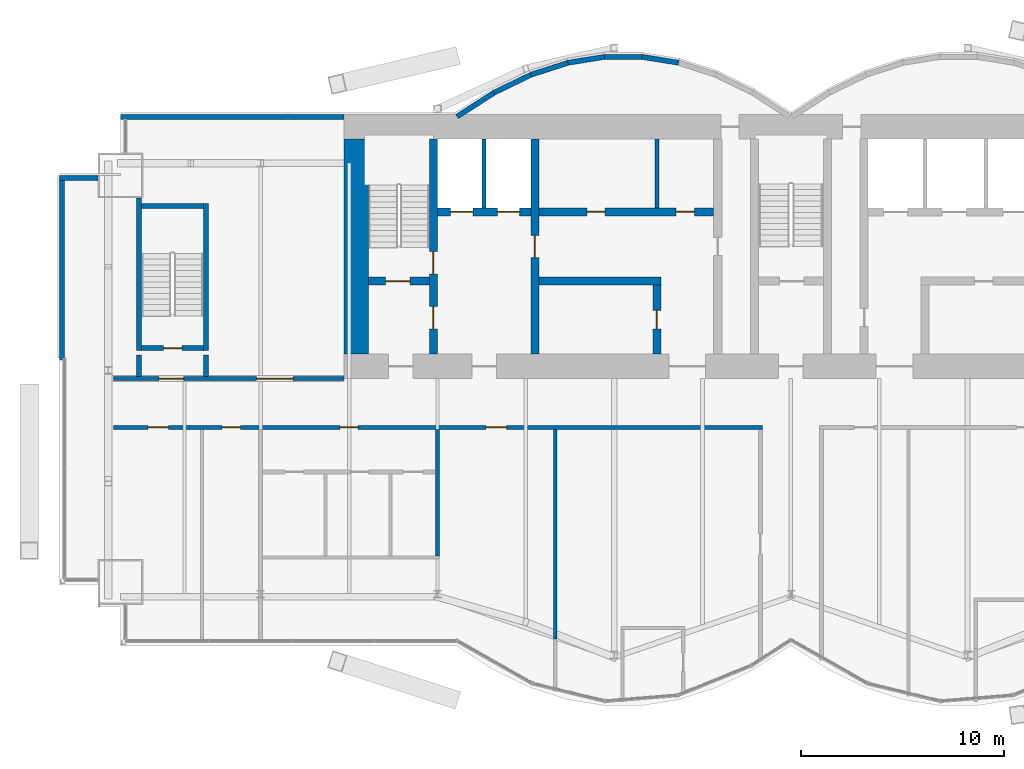
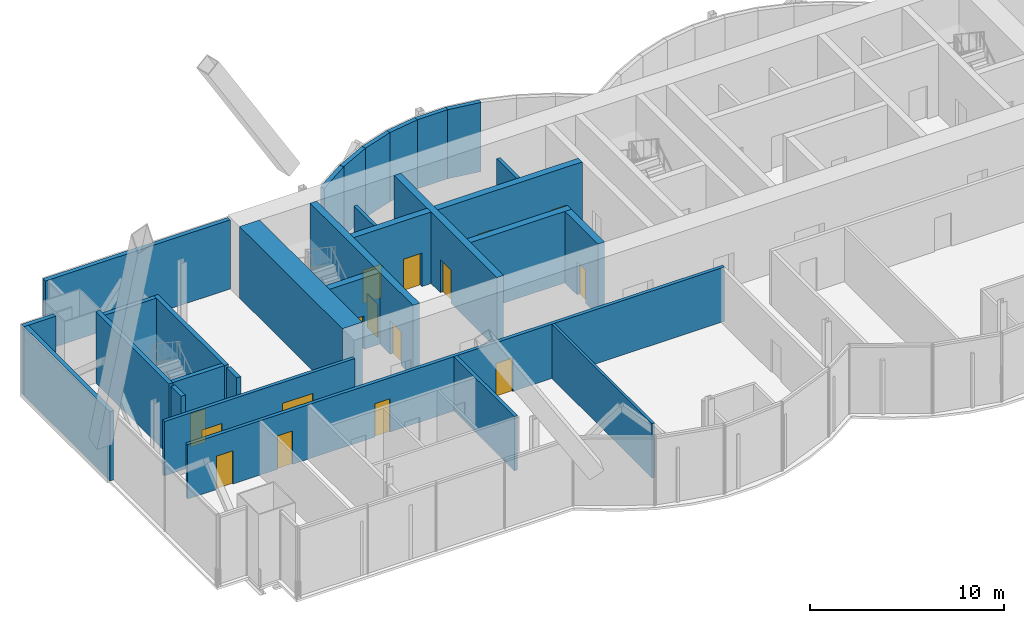
# One storey, part 16 of 22: 28 walls, 16 doors, 16 openings.
"""IFC4 building model written with IfcOpenShell, lengths in metres."""

import ifcopenshell
import ifcopenshell.guid

model = None  # the IFC model being written
_history = None  # IfcOwnerHistory: only IFC2X3 demands one
_inside = {}  # id of a spatial element -> (the spatial element, [elements in it])
_under = {}  # id of a project, library or spatial element -> (it, [spatial elements below it])
_declared = {}  # id of a project -> (the project, [libraries it declares])
_typed = {}  # id of a type object -> (the type object, [elements of that type])
_made_of = {}  # id of a material, layer set ... -> (it, [elements and type objects made of it])


def new_model(schema):
    """Start an empty IFC model of exactly this schema.

    Asked for "IFC4X3", IfcOpenShell would pick the latest addendum, in which some entities
    have other attributes; the version numbers below select the first issue.
    IFC2X3 requires an IfcOwnerHistory on every rooted entity: one is made here for all.
    """
    global model, _history
    if schema == "IFC4X3":
        model = ifcopenshell.file(schema_version=(4, 3, 0, 0))
    else:
        model = ifcopenshell.file(schema=schema)
    _inside.clear()
    _under.clear()
    _declared.clear()
    _typed.clear()
    _made_of.clear()
    _history = None
    if model.schema == "IFC2X3":
        org = make("IfcOrganization", Name="unknown")
        user = make(
            "IfcPersonAndOrganization",
            ThePerson=make("IfcPerson", FamilyName="unknown"),
            TheOrganization=org,
        )
        app = make(
            "IfcApplication",
            ApplicationDeveloper=org,
            Version="unknown",
            ApplicationFullName="unknown",
            ApplicationIdentifier="unknown",
        )
        _history = make(
            "IfcOwnerHistory",
            OwningUser=user,
            OwningApplication=app,
            ChangeAction="ADDED",
            CreationDate=0,
        )
    return model


def make(cls, **values):
    """One entity of the class cls with the attributes given. An attribute that is None is left unset."""
    return model.create_entity(
        cls, **{name: value for name, value in values.items() if value is not None}
    )


def rooted(cls, **values):
    """An entity with a GlobalId (a new one), such as an element, a storey or a relation."""
    return make(cls, GlobalId=ifcopenshell.guid.new(), OwnerHistory=_history, **values)


def si_unit(unit_type, name, prefix=None):
    """IfcSIUnit, for example si_unit("LENGTHUNIT", "METRE", prefix="MILLI")."""
    return make("IfcSIUnit", UnitType=unit_type, Prefix=prefix, Name=name)


def assignment(units):
    """IfcUnitAssignment: the units of a project."""
    return None if units is None else make("IfcUnitAssignment", Units=units)


def point(xyz):
    """IfcCartesianPoint."""
    return None if xyz is None else make("IfcCartesianPoint", Coordinates=xyz)


def direction(xyz):
    """IfcDirection."""
    return None if xyz is None else make("IfcDirection", DirectionRatios=xyz)


def frame(location, z_axis=None, x_axis=None):
    """IfcAxis2Placement3D, a coordinate frame: its origin and axes. An axis left out is left unset."""
    return make(
        "IfcAxis2Placement3D",
        Location=point(location),
        Axis=direction(z_axis),
        RefDirection=direction(x_axis),
    )


def frame_2d(location, x_axis=None):
    """IfcAxis2Placement2D, a coordinate frame in the plane: its origin and x axis."""
    return make(
        "IfcAxis2Placement2D", Location=point(location), RefDirection=direction(x_axis)
    )


def origin():
    """The frame at (0, 0, 0) with its axes left unset."""
    return frame((0.0, 0.0, 0.0))


def place(relative_to, where):
    """IfcLocalPlacement: puts the frame where relative to a parent placement (None: the world)."""
    return make(
        "IfcLocalPlacement", PlacementRelTo=relative_to, RelativePlacement=where
    )


def context(
    kind, dimensions, precision=None, world=None, true_north=None, identifier=None
):
    """IfcGeometricRepresentationContext, for example the 3D "Model" context."""
    return make(
        "IfcGeometricRepresentationContext",
        ContextIdentifier=identifier,
        ContextType=kind,
        CoordinateSpaceDimension=dimensions,
        Precision=precision,
        WorldCoordinateSystem=world,
        TrueNorth=true_north,
    )


def subcontext(parent, identifier, kind, view, scale=None):
    """IfcGeometricRepresentationSubContext, for example "Body" below "Model"."""
    return make(
        "IfcGeometricRepresentationSubContext",
        ContextIdentifier=identifier,
        ContextType=kind,
        ParentContext=parent,
        TargetScale=scale,
        TargetView=view,
    )


def project(units=None, contexts=None):
    """IfcProject with its units and contexts."""
    return rooted(
        "IfcProject",
        Name="project",
        RepresentationContexts=contexts,
        UnitsInContext=assignment(units),
    )


def spatial(cls, under=None, at=None, **own):
    """A site, building, storey or space (cls), placed at a placement, below another one or the project."""
    s = rooted(cls, ObjectPlacement=at, **own)
    if under is not None:
        _under.setdefault(under.id(), (under, []))[1].append(s)
    return s


def profile(cls, at=None, kind="AREA", **sizes):
    """A parametric profile (cls). Its sizes go by their IFC names, for example OverallWidth=200.0."""
    return make(cls, ProfileType=kind, Position=at, **sizes)


def rectangle(**sizes):
    """IfcRectangleProfileDef."""
    return profile("IfcRectangleProfileDef", **sizes)


def extrude(swept, where, along, depth):
    """IfcExtrudedAreaSolid: the profile swept, set in the frame where, extruded along a direction by depth."""
    return make(
        "IfcExtrudedAreaSolid",
        SweptArea=swept,
        Position=where,
        ExtrudedDirection=direction(along),
        Depth=depth,
    )


def shape(context_of_items, identifier, shape_type, items):
    """IfcShapeRepresentation: the items that make up one representation, for example the "Body"."""
    return make(
        "IfcShapeRepresentation",
        ContextOfItems=context_of_items,
        RepresentationIdentifier=identifier,
        RepresentationType=shape_type,
        Items=items,
    )


def material(Name=None, Category=None):
    """IfcMaterial."""
    return make("IfcMaterial", Name=Name, Category=Category)


def layer(
    of_material, thickness, ventilated=None, Name=None, Category=None, Priority=None
):
    """IfcMaterialLayer: one layer of a wall or slab, of a material (None: an air gap)."""
    return make(
        "IfcMaterialLayer",
        Material=of_material,
        LayerThickness=thickness,
        IsVentilated=ventilated,
        Name=Name,
        Category=Category,
        Priority=Priority,
    )


def layer_set(layers, Name=None):
    """IfcMaterialLayerSet."""
    return make("IfcMaterialLayerSet", MaterialLayers=layers, LayerSetName=Name)


def layer_usage(for_layer_set, set_direction, sense, offset, extent=None):
    """IfcMaterialLayerSetUsage: how a layer set lies in its element."""
    return make(
        "IfcMaterialLayerSetUsage",
        ForLayerSet=for_layer_set,
        LayerSetDirection=set_direction,
        DirectionSense=sense,
        OffsetFromReferenceLine=offset,
        ReferenceExtent=extent,
    )


def made_of(thing, what):
    """Note that an element or type object is made of a material, layer set ...; save() writes the relation."""
    if what is not None:
        _made_of.setdefault(what.id(), (what, []))[1].append(thing)
    return thing


def type_object(cls, material=None, **own):
    """A type object (cls), such as IfcWallType, which elements share."""
    return made_of(rooted(cls, **own), material)


def element(
    cls,
    number,
    at=None,
    inside=None,
    cuts=None,
    type_object=None,
    material=None,
    context=None,
    identifier="Body",
    shape_type=None,
    held_by="IfcProductDefinitionShape",
    body=None,
    shapes=None,
    **own,
):
    """One element of the class cls, such as IfcWall. Its Tag is "e" and its number.

    at: its placement. inside: the storey or other place that contains it. cuts: it is an
    opening in that element (IfcRelVoidsElement). A single representation is given by context,
    identifier, shape_type and body (its items); several are given by shapes. held_by: the class
    of the entity that holds the representations. save() writes the other relations.
    """
    e = rooted(cls, Tag="e%d" % number, ObjectPlacement=at, **own)
    if body is not None:
        shapes = [shape(context, identifier, shape_type, body)]
    if shapes is not None:
        e.Representation = make(held_by, Representations=shapes)
    if inside is not None:
        _inside.setdefault(inside.id(), (inside, []))[1].append(e)
    if cuts is not None:
        rooted(
            "IfcRelVoidsElement", RelatingBuildingElement=cuts, RelatedOpeningElement=e
        )
    if type_object is not None:
        _typed.setdefault(type_object.id(), (type_object, []))[1].append(e)
    return made_of(e, material)


def fill(opening, filler):
    """IfcRelFillsElement: the door or window that sits in an opening."""
    return rooted(
        "IfcRelFillsElement",
        RelatingOpeningElement=opening,
        RelatedBuildingElement=filler,
    )


def aggregate(whole, parts):
    """IfcRelAggregates: a whole, such as a stair, and the parts it consists of."""
    return rooted("IfcRelAggregates", RelatingObject=whole, RelatedObjects=parts)


def save(model, path):
    """Write the relations noted so far, then the file.

    IfcRelAggregates (storeys below a building ...), IfcRelContainedInSpatialStructure (elements
    in a storey), IfcRelDefinesByType, IfcRelAssociatesMaterial and IfcRelDeclares: one each for
    every whole, place, type object, material and project.
    """
    for whole, parts in _under.values():
        aggregate(whole, parts)
    for where, things in _inside.values():
        rooted(
            "IfcRelContainedInSpatialStructure",
            RelatedElements=things,
            RelatingStructure=where,
        )
    for kind, things in _typed.values():
        rooted("IfcRelDefinesByType", RelatedObjects=things, RelatingType=kind)
    for what, things in _made_of.values():
        rooted("IfcRelAssociatesMaterial", RelatedObjects=things, RelatingMaterial=what)
    for by, libraries in _declared.values():
        rooted("IfcRelDeclares", RelatingContext=by, RelatedDefinitions=libraries)
    model.write(path)


model = new_model("IFC4")

# Units and contexts
model_context = context("Model", 3, precision=1e-05, world=origin(), true_north=direction((0.0, 1.0)))
body_context = subcontext(model_context, "Body", "Model", "MODEL_VIEW")
ifc_project = project(units=[si_unit("LENGTHUNIT", "METRE"), si_unit("AREAUNIT", "SQUARE_METRE"), si_unit("VOLUMEUNIT", "CUBIC_METRE"), si_unit("PLANEANGLEUNIT", "RADIAN"), si_unit("MASSUNIT", "GRAM", prefix="KILO")], contexts=[model_context])

# Site, building, storey
site_placement = place(None, origin())
site = spatial("IfcSite", under=ifc_project, at=site_placement, CompositionType="ELEMENT")
building_placement = place(site_placement, origin())
building = spatial("IfcBuilding", under=site, at=building_placement, Name="Bicima Exchange Tower", CompositionType="ELEMENT")
storey_placement = place(building_placement, frame((0.0, 0.0, 315.5)))
storey = spatial("IfcBuildingStorey", under=building, at=storey_placement, Name="L71", CompositionType="ELEMENT", Elevation=315.5)

# Wall
ifc_material_1 = material(Name="Gypsum board partition")
ifc_layer_1 = layer(ifc_material_1, 0.199951171875)
ifc_layer_set_1 = layer_set([ifc_layer_1], Name="Gypsum board partition")
wall_type_1 = type_object("IfcWallType", Name="Fire-rated gypsum partition 200 EI120", PredefinedType="PARTITIONING", material=ifc_layer_set_1)
wall_1_placement = place(storey_placement, frame((-15.10009765625, -4.60009765625, 0.0), z_axis=(0.0, 0.0, 1.0), x_axis=(0.0, 1.0, 0.0)))
element("IfcWall", 1, at=wall_1_placement, inside=storey, type_object=wall_type_1, Name="partition wall 9", PredefinedType="PARTITIONING", context=body_context, shape_type="SweptSolid", body=[
    extrude(rectangle(XDim=3.400146484375, YDim=0.199951171875, at=frame_2d((1.7001953125, 0.0))), origin(), (0.0, 0.0, 1.0), 3.418212890625),
])

# Wall, openings, doors
ifc_layer_2 = layer(ifc_material_1, 0.199951171875)
ifc_layer_set_2 = layer_set([ifc_layer_2], Name="Gypsum board partition")
wall_type_2 = type_object("IfcWallType", Name="Fire-rated gypsum partition 200 EI60", PredefinedType="PARTITIONING", material=ifc_layer_set_2)
wall_2_placement = place(storey_placement, frame((-33.340087890625, -15.39990234375, 0.0), z_axis=(0.0, 0.0, 1.0), x_axis=(1.0, 0.0, 0.0)))
wall_2 = element("IfcWall", 2, at=wall_2_placement, inside=storey, type_object=wall_type_2, Name="partition wall 5", PredefinedType="PARTITIONING", context=body_context, shape_type="SweptSolid", body=[
    extrude(rectangle(XDim=31.940185546875, YDim=0.199951171875, at=frame_2d((15.97021484375, 0.0))), origin(), (0.0, 0.0, 1.0), 3.418212890625),
])
opening_1_placement = place(wall_2_placement, frame((1.699951171875, 0.0, 0.0)))
opening_1 = element("IfcOpeningElement", 3, at=opening_1_placement, cuts=wall_2, Name="Opening L71-007", PredefinedType="OPENING", context=body_context, shape_type="SweptSolid", body=[
    extrude(rectangle(XDim=1.0, YDim=2.10009765625, at=frame_2d((0.5, 1.050048828125))), frame((0.0, 0.11181640625, 0.0), z_axis=(0.0, -1.0, 0.0), x_axis=(1.0, 0.0, 0.0)), (0.0, 0.0, 1.0), 0.223876953125),
])
opening_2_placement = place(wall_2_placement, frame((5.340087890625, 0.0, 0.0)))
opening_2 = element("IfcOpeningElement", 4, at=opening_2_placement, cuts=wall_2, Name="Opening L71-008", PredefinedType="OPENING", context=body_context, shape_type="SweptSolid", body=[
    extrude(rectangle(XDim=0.89990234375, YDim=2.10009765625, at=frame_2d((0.449951171875, 1.050048828125))), frame((0.0, 0.11181640625, 0.0), z_axis=(0.0, -1.0, 0.0), x_axis=(1.0, 0.0, 0.0)), (0.0, 0.0, 1.0), 0.223876953125),
])
opening_3_placement = place(wall_2_placement, frame((11.139892578125, 0.0, 0.0)))
opening_3 = element("IfcOpeningElement", 5, at=opening_3_placement, cuts=wall_2, Name="Opening L71-009", PredefinedType="OPENING", context=body_context, shape_type="SweptSolid", body=[
    extrude(rectangle(XDim=0.89990234375, YDim=2.10009765625, at=frame_2d((0.449951171875, 1.050048828125))), frame((0.0, 0.11181640625, 0.0), z_axis=(0.0, -1.0, 0.0), x_axis=(1.0, 0.0, 0.0)), (0.0, 0.0, 1.0), 0.223876953125),
])
opening_4_placement = place(wall_2_placement, frame((18.340087890625, 0.0, 0.0)))
opening_4 = element("IfcOpeningElement", 6, at=opening_4_placement, cuts=wall_2, Name="Opening L71-013", PredefinedType="OPENING", context=body_context, shape_type="SweptSolid", body=[
    extrude(rectangle(XDim=1.0, YDim=2.10009765625, at=frame_2d((0.5, 1.050048828125))), frame((0.0, 0.11181640625, 0.0), z_axis=(0.0, -1.0, 0.0), x_axis=(1.0, 0.0, 0.0)), (0.0, 0.0, 1.0), 0.223876953125),
])
ifc_material_2 = material(Name="Steel fire door leaf", Category="steel")
door_type_1 = type_object("IfcDoorType", Name="Door 1000 swing FD30S", OperationType="SINGLE_SWING_LEFT", PredefinedType="DOOR", material=ifc_material_2)
door_1_placement = place(opening_1_placement, frame((1.0, 0.0, 0.0), z_axis=(0.0, 0.0, 1.0), x_axis=(-1.0, 0.0, 0.0)))
door_1 = element("IfcDoor", 7, at=door_1_placement, inside=storey, type_object=door_type_1, Name="Door", OperationType="SINGLE_SWING_LEFT", OverallHeight=2.10009765625, OverallWidth=1.0, PredefinedType="DOOR", context=body_context, shape_type="SweptSolid", body=[
    extrude(rectangle(XDim=1.0, YDim=2.10009765625, at=frame_2d((0.5, 1.050048828125))), frame((0.0, 0.02490234375, 0.0), z_axis=(0.0, -1.0, 0.0), x_axis=(1.0, 0.0, 0.0)), (0.0, 0.0, 1.0), 0.050048828125),
])
fill(opening_1, door_1)
door_2_placement = place(opening_4_placement, frame((1.0, 0.0, 0.0), z_axis=(0.0, 0.0, 1.0), x_axis=(-1.0, 0.0, 0.0)))
door_2 = element("IfcDoor", 8, at=door_2_placement, inside=storey, type_object=door_type_1, Name="Door", OperationType="SINGLE_SWING_LEFT", OverallHeight=2.10009765625, OverallWidth=1.0, PredefinedType="DOOR", context=body_context, shape_type="SweptSolid", body=[
    extrude(rectangle(XDim=1.0, YDim=2.10009765625, at=frame_2d((0.5, 1.050048828125))), frame((0.0, 0.02490234375, 0.0), z_axis=(0.0, -1.0, 0.0), x_axis=(1.0, 0.0, 0.0)), (0.0, 0.0, 1.0), 0.050048828125),
])
fill(opening_4, door_2)
door_type_2 = type_object("IfcDoorType", Name="Door 900 swing FD30S", OperationType="SINGLE_SWING_LEFT", PredefinedType="DOOR", material=ifc_material_2)
door_3_placement = place(opening_2_placement, frame((0.89990234375, 0.0, 0.0), z_axis=(0.0, 0.0, 1.0), x_axis=(-1.0, 0.0, 0.0)))
door_3 = element("IfcDoor", 9, at=door_3_placement, inside=storey, type_object=door_type_2, Name="Door", OperationType="SINGLE_SWING_RIGHT", OverallHeight=2.10009765625, OverallWidth=0.89990234375, PredefinedType="DOOR", context=body_context, shape_type="SweptSolid", body=[
    extrude(rectangle(XDim=0.89990234375, YDim=2.10009765625, at=frame_2d((0.449951171875, 1.050048828125))), frame((0.0, 0.02490234375, 0.0), z_axis=(0.0, -1.0, 0.0), x_axis=(1.0, 0.0, 0.0)), (0.0, 0.0, 1.0), 0.050048828125),
])
fill(opening_2, door_3)
door_4_placement = place(opening_3_placement, frame((0.89990234375, 0.0, 0.0), z_axis=(0.0, 0.0, 1.0), x_axis=(-1.0, 0.0, 0.0)))
door_4 = element("IfcDoor", 10, at=door_4_placement, inside=storey, type_object=door_type_2, Name="Door", OperationType="SINGLE_SWING_RIGHT", OverallHeight=2.10009765625, OverallWidth=0.89990234375, PredefinedType="DOOR", context=body_context, shape_type="SweptSolid", body=[
    extrude(rectangle(XDim=0.89990234375, YDim=2.10009765625, at=frame_2d((0.449951171875, 1.050048828125))), frame((0.0, 0.02490234375, 0.0), z_axis=(0.0, -1.0, 0.0), x_axis=(1.0, 0.0, 0.0)), (0.0, 0.0, 1.0), 0.050048828125),
])
fill(opening_3, door_4)

wall_3_placement = place(storey_placement, frame((-33.340087890625, -13.0, 0.0), z_axis=(0.0, 0.0, 1.0), x_axis=(1.0, 0.0, 0.0)))
wall_3 = element("IfcWall", 11, at=wall_3_placement, inside=storey, type_object=wall_type_2, Name="partition wall 7", PredefinedType="PARTITIONING", context=body_context, shape_type="SweptSolid", body=[
    extrude(rectangle(XDim=11.340087890625, YDim=0.199951171875, at=frame_2d((5.669921875, 0.0))), origin(), (0.0, 0.0, 1.0), 3.418212890625),
])
opening_5_placement = place(wall_3_placement, frame((2.239990234375, 0.0, 0.0)))
opening_5 = element("IfcOpeningElement", 12, at=opening_5_placement, cuts=wall_3, Name="Opening L71-001", PredefinedType="OPENING", context=body_context, shape_type="SweptSolid", body=[
    extrude(rectangle(XDim=1.199951171875, YDim=2.10009765625, at=frame_2d((0.60009765625, 1.050048828125))), frame((0.0, 0.11181640625, 0.0), z_axis=(0.0, -1.0, 0.0), x_axis=(1.0, 0.0, 0.0)), (0.0, 0.0, 1.0), 0.223876953125),
])
opening_6_placement = place(wall_3_placement, frame((7.0400390625, 0.0, 0.0)))
opening_6 = element("IfcOpeningElement", 13, at=opening_6_placement, cuts=wall_3, Name="Opening L71-005", PredefinedType="OPENING", context=body_context, shape_type="SweptSolid", body=[
    extrude(rectangle(XDim=1.800048828125, YDim=2.10009765625, at=frame_2d((0.89990234375, 1.050048828125))), frame((0.0, 0.11181640625, 0.0), z_axis=(0.0, -1.0, 0.0), x_axis=(1.0, 0.0, 0.0)), (0.0, 0.0, 1.0), 0.223876953125),
])
door_type_3 = type_object("IfcDoorType", Name="Door 1200 swing FD30S", OperationType="SINGLE_SWING_LEFT", PredefinedType="DOOR", material=ifc_material_2)
door_5_placement = place(opening_5_placement, origin())
door_5 = element("IfcDoor", 14, at=door_5_placement, inside=storey, type_object=door_type_3, Name="Door", OperationType="SINGLE_SWING_LEFT", OverallHeight=2.10009765625, OverallWidth=1.199951171875, PredefinedType="DOOR", context=body_context, shape_type="SweptSolid", body=[
    extrude(rectangle(XDim=1.199951171875, YDim=2.10009765625, at=frame_2d((0.60009765625, 1.050048828125))), frame((0.0, 0.02490234375, 0.0), z_axis=(0.0, -1.0, 0.0), x_axis=(1.0, 0.0, 0.0)), (0.0, 0.0, 1.0), 0.050048828125),
])
fill(opening_5, door_5)
door_type_4 = type_object("IfcDoorType", Name="Door 1800 double swing FD30S", OperationType="DOUBLE_DOOR_SINGLE_SWING", PredefinedType="DOOR", material=ifc_material_2)
door_6_placement = place(opening_6_placement, origin())
door_6 = element("IfcDoor", 15, at=door_6_placement, inside=storey, type_object=door_type_4, Name="Door", OperationType="SINGLE_SWING_LEFT", OverallHeight=2.10009765625, OverallWidth=1.800048828125, PredefinedType="DOOR", context=body_context, shape_type="SweptSolid", body=[
    extrude(rectangle(XDim=1.800048828125, YDim=2.10009765625, at=frame_2d((0.89990234375, 1.050048828125))), frame((0.0, 0.02490234375, 0.0), z_axis=(0.0, -1.0, 0.0), x_axis=(1.0, 0.0, 0.0)), (0.0, 0.0, 1.0), 0.050048828125),
])
fill(opening_6, door_6)

# Walls
wall_4_placement = place(storey_placement, frame((-17.39990234375, -21.72509765625, 0.0), z_axis=(0.0, 0.0, 1.0), x_axis=(0.0, 1.0, 0.0)))
element("IfcWall", 16, at=wall_4_placement, inside=storey, type_object=wall_type_2, Name="partition wall 19", PredefinedType="PARTITIONING", context=body_context, shape_type="SweptSolid", body=[
    extrude(rectangle(XDim=6.22509765625, YDim=0.199951171875, at=frame_2d((3.112548828125, 0.0))), origin(), (0.0, 0.0, 1.0), 3.418212890625),
])
wall_5_placement = place(storey_placement, frame((-6.60009765625, -4.60009765625, 0.0), z_axis=(0.0, 0.0, 1.0), x_axis=(0.0, 1.0, 0.0)))
element("IfcWall", 17, at=wall_5_placement, inside=storey, type_object=wall_type_2, Name="partition wall 12", PredefinedType="PARTITIONING", context=body_context, shape_type="SweptSolid", body=[
    extrude(rectangle(XDim=3.400146484375, YDim=0.199951171875, at=frame_2d((1.7001953125, 0.0))), origin(), (0.0, 0.0, 1.0), 3.418212890625),
])
ifc_layer_3 = layer(ifc_material_1, 0.14990234375)
ifc_layer_set_3 = layer_set([ifc_layer_3], Name="Gypsum board partition")
wall_type_3 = type_object("IfcWallType", Name="Gypsum partition 150", PredefinedType="PARTITIONING", material=ifc_layer_set_3)
wall_6_placement = place(storey_placement, frame((-11.60009765625, -25.8271484375, 0.0), z_axis=(0.0, 0.0, 1.0), x_axis=(0.0, 1.0, 0.0)))
element("IfcWall", 18, at=wall_6_placement, inside=storey, type_object=wall_type_3, Name="partition wall 21", PredefinedType="PARTITIONING", context=body_context, shape_type="SweptSolid", body=[
    extrude(rectangle(XDim=10.3271484375, YDim=0.14990234375, at=frame_2d((5.16357421875, 0.0))), origin(), (0.0, 0.0, 1.0), 3.418212890625),
])
ifc_material_3 = material(Name="Concrete C40/50", Category="concrete")
ifc_layer_4 = layer(ifc_material_3, 1.199951171875)
ifc_layer_set_4 = layer_set([ifc_layer_4], Name="Concrete C40/50")
wall_type_4 = type_object("IfcWallType", Name="RC core wall 1200 C40/50", PredefinedType="SHEAR", material=ifc_layer_set_4)
wall_7_placement = place(storey_placement, frame((-21.39990234375, -11.800048828125, 0.0), z_axis=(0.0, 0.0, 1.0), x_axis=(0.0, 1.0, 0.0)))
element("IfcWall", 19, at=wall_7_placement, inside=storey, type_object=wall_type_4, Name="Core wall west", PredefinedType="SHEAR", context=body_context, shape_type="SweptSolid", body=[
    extrude(rectangle(XDim=10.60009765625, YDim=1.199951171875, at=frame_2d((5.300048828125, 0.0))), origin(), (0.0, 0.0, 1.0), 4.5),
])
ifc_material_4 = material(Name="Concrete C50/60", Category="concrete")
ifc_layer_5 = layer(ifc_material_4, 0.25)
ifc_layer_set_5 = layer_set([ifc_layer_5], Name="Concrete C50/60")
wall_type_5 = type_object("IfcWallType", Name="RC core wall 250 C50/60", PredefinedType="SHEAR", material=ifc_layer_set_5)
for number, where, z_axis, x_axis, name in (
    (20, (-32.10009765625, -12.89990234375, 0.0), (0.0, 0.0, 1.0), (0.0, 1.0, 0.0), "stair wall 13"),
    (21, (-28.800048828125, -12.89990234375, 0.0), (0.0, 0.0, 1.0), (0.0, 1.0, 0.0), "stair wall 15"),
):
    element("IfcWall", number, at=place(storey_placement, frame(where, z_axis=z_axis, x_axis=x_axis)), inside=storey, type_object=wall_type_5, Name=name, PredefinedType="SHEAR", context=body_context, shape_type="SweptSolid", body=[
        extrude(rectangle(XDim=1.0498046875, YDim=0.25, at=frame_2d((0.52490234375, 0.0))), origin(), (0.0, 0.0, 1.0), 4.5),
    ])
ifc_layer_6 = layer(ifc_material_3, 0.39990234375)
ifc_layer_set_6 = layer_set([ifc_layer_6], Name="Concrete C40/50")
wall_type_6 = type_object("IfcWallType", Name="RC core wall 400 C40/50", PredefinedType="SHEAR", material=ifc_layer_set_6)
wall_8_placement = place(storey_placement, frame((-12.39990234375, -8.199951171875, 0.0), z_axis=(0.0, 0.0, 1.0), x_axis=(1.0, 0.0, 0.0)))
element("IfcWall", 22, at=wall_8_placement, inside=storey, type_object=wall_type_6, Name="shear wall 2", PredefinedType="SHEAR", context=body_context, shape_type="SweptSolid", body=[
    extrude(rectangle(XDim=6.0, YDim=0.39990234375, at=frame_2d((3.0, 0.0))), origin(), (0.0, 0.0, 1.0), 4.5),
])

# Wall, openings, doors
wall_9_placement = place(storey_placement, frame((-17.39990234375, -4.800048828125, 0.0), z_axis=(0.0, 0.0, 1.0), x_axis=(1.0, 0.0, 0.0)))
wall_9 = element("IfcWall", 23, at=wall_9_placement, inside=storey, type_object=wall_type_6, Name="shear wall 6", PredefinedType="SHEAR", context=body_context, shape_type="SweptSolid", body=[
    extrude(rectangle(XDim=13.599853515625, YDim=0.39990234375, at=frame_2d((6.7998046875, 0.0))), origin(), (0.0, 0.0, 1.0), 4.5),
])
opening_7_placement = place(wall_9_placement, frame((0.64990234375, 0.0, 0.0)))
opening_7 = element("IfcOpeningElement", 24, at=opening_7_placement, cuts=wall_9, Name="Opening LD-FF1-L71", PredefinedType="OPENING", context=body_context, shape_type="SweptSolid", body=[
    extrude(rectangle(XDim=1.10009765625, YDim=2.10009765625, at=frame_2d((0.550048828125, 1.050048828125))), frame((0.0, 0.2119140625, 0.0), z_axis=(0.0, -1.0, 0.0), x_axis=(1.0, 0.0, 0.0)), (0.0, 0.0, 1.0), 0.423828125),
])
opening_8_placement = place(wall_9_placement, frame((2.949951171875, 0.0, 0.0)))
opening_8 = element("IfcOpeningElement", 25, at=opening_8_placement, cuts=wall_9, Name="Opening LD-FF3-L71", PredefinedType="OPENING", context=body_context, shape_type="SweptSolid", body=[
    extrude(rectangle(XDim=1.10009765625, YDim=2.10009765625, at=frame_2d((0.550048828125, 1.050048828125))), frame((0.0, 0.2119140625, 0.0), z_axis=(0.0, -1.0, 0.0), x_axis=(1.0, 0.0, 0.0)), (0.0, 0.0, 1.0), 0.423828125),
])
opening_9_placement = place(wall_9_placement, frame((7.35009765625, 0.0, 0.0)))
opening_9 = element("IfcOpeningElement", 26, at=opening_9_placement, cuts=wall_9, Name="Opening L71-C12", PredefinedType="OPENING", context=body_context, shape_type="SweptSolid", body=[
    extrude(rectangle(XDim=0.89990234375, YDim=2.10009765625, at=frame_2d((0.449951171875, 1.050048828125))), frame((0.0, 0.2119140625, 0.0), z_axis=(0.0, -1.0, 0.0), x_axis=(1.0, 0.0, 0.0)), (0.0, 0.0, 1.0), 0.423828125),
])
opening_10_placement = place(wall_9_placement, frame((11.75, 0.0, 0.0)))
opening_10 = element("IfcOpeningElement", 27, at=opening_10_placement, cuts=wall_9, Name="Opening L71-C13", PredefinedType="OPENING", context=body_context, shape_type="SweptSolid", body=[
    extrude(rectangle(XDim=0.89990234375, YDim=2.10009765625, at=frame_2d((0.449951171875, 1.050048828125))), frame((0.0, 0.2119140625, 0.0), z_axis=(0.0, -1.0, 0.0), x_axis=(1.0, 0.0, 0.0)), (0.0, 0.0, 1.0), 0.423828125),
])
door_7_placement = place(opening_9_placement, origin())
door_7 = element("IfcDoor", 28, at=door_7_placement, inside=storey, type_object=door_type_2, Name="Core door", OperationType="SINGLE_SWING_RIGHT", OverallHeight=2.10009765625, OverallWidth=0.89990234375, PredefinedType="DOOR", context=body_context, shape_type="SweptSolid", body=[
    extrude(rectangle(XDim=0.89990234375, YDim=2.10009765625, at=frame_2d((0.449951171875, 1.050048828125))), frame((0.0, 0.02490234375, 0.0), z_axis=(0.0, -1.0, 0.0), x_axis=(1.0, 0.0, 0.0)), (0.0, 0.0, 1.0), 0.050048828125),
])
fill(opening_9, door_7)
door_8_placement = place(opening_10_placement, origin())
door_8 = element("IfcDoor", 29, at=door_8_placement, inside=storey, type_object=door_type_2, Name="Core door", OperationType="SINGLE_SWING_LEFT", OverallHeight=2.10009765625, OverallWidth=0.89990234375, PredefinedType="DOOR", context=body_context, shape_type="SweptSolid", body=[
    extrude(rectangle(XDim=0.89990234375, YDim=2.10009765625, at=frame_2d((0.449951171875, 1.050048828125))), frame((0.0, 0.02490234375, 0.0), z_axis=(0.0, -1.0, 0.0), x_axis=(1.0, 0.0, 0.0)), (0.0, 0.0, 1.0), 0.050048828125),
])
fill(opening_10, door_8)
ifc_material_5 = material(Name="Stainless steel", Category="steel")
door_type_5 = type_object("IfcDoorType", Name="Lift landing door 1100 sliding", OperationType="DOUBLE_DOOR_SLIDING", PredefinedType="DOOR", material=ifc_material_5)
door_9_placement = place(opening_7_placement, origin())
door_9 = element("IfcDoor", 30, at=door_9_placement, inside=storey, type_object=door_type_5, Name="Lift landing door FF1", OperationType="DOUBLE_DOOR_SLIDING", OverallHeight=2.10009765625, OverallWidth=1.10009765625, PredefinedType="DOOR", context=body_context, shape_type="SweptSolid", body=[
    extrude(rectangle(XDim=1.10009765625, YDim=2.10009765625, at=frame_2d((0.550048828125, 1.050048828125))), frame((0.0, 0.02490234375, 0.0), z_axis=(0.0, -1.0, 0.0), x_axis=(1.0, 0.0, 0.0)), (0.0, 0.0, 1.0), 0.050048828125),
])
fill(opening_7, door_9)
door_10_placement = place(opening_8_placement, origin())
door_10 = element("IfcDoor", 31, at=door_10_placement, inside=storey, type_object=door_type_5, Name="Lift landing door FF3", OperationType="DOUBLE_DOOR_SLIDING", OverallHeight=2.10009765625, OverallWidth=1.10009765625, PredefinedType="DOOR", context=body_context, shape_type="SweptSolid", body=[
    extrude(rectangle(XDim=1.10009765625, YDim=2.10009765625, at=frame_2d((0.550048828125, 1.050048828125))), frame((0.0, 0.02490234375, 0.0), z_axis=(0.0, -1.0, 0.0), x_axis=(1.0, 0.0, 0.0)), (0.0, 0.0, 1.0), 0.050048828125),
])
fill(opening_8, door_10)

# Wall, opening, door
wall_10_placement = place(storey_placement, frame((-12.60009765625, -11.800048828125, 0.0), z_axis=(0.0, 0.0, 1.0), x_axis=(0.0, 1.0, 0.0)))
wall_10 = element("IfcWall", 32, at=wall_10_placement, inside=storey, type_object=wall_type_6, Name="shear wall 10", PredefinedType="SHEAR", context=body_context, shape_type="SweptSolid", body=[
    extrude(rectangle(XDim=10.60009765625, YDim=0.39990234375, at=frame_2d((5.300048828125, 0.0))), origin(), (0.0, 0.0, 1.0), 4.5),
])
opening_11_placement = place(wall_10_placement, frame((4.75, 0.0, 0.0)))
opening_11 = element("IfcOpeningElement", 33, at=opening_11_placement, cuts=wall_10, Name="Opening L71-C07", PredefinedType="OPENING", context=body_context, shape_type="SweptSolid", body=[
    extrude(rectangle(XDim=1.10009765625, YDim=2.10009765625, at=frame_2d((0.550048828125, 1.050048828125))), frame((0.0, 0.2119140625, 0.0), z_axis=(0.0, -1.0, 0.0), x_axis=(1.0, 0.0, 0.0)), (0.0, 0.0, 1.0), 0.423828125),
])
door_type_6 = type_object("IfcDoorType", Name="Door 1100 swing FD60S", OperationType="SINGLE_SWING_LEFT", PredefinedType="DOOR", material=ifc_material_2)
door_11_placement = place(opening_11_placement, origin())
door_11 = element("IfcDoor", 34, at=door_11_placement, inside=storey, type_object=door_type_6, Name="Core door", OperationType="SINGLE_SWING_LEFT", OverallHeight=2.10009765625, OverallWidth=1.10009765625, PredefinedType="DOOR", context=body_context, shape_type="SweptSolid", body=[
    extrude(rectangle(XDim=1.10009765625, YDim=2.10009765625, at=frame_2d((0.550048828125, 1.050048828125))), frame((0.0, 0.02490234375, 0.0), z_axis=(0.0, -1.0, 0.0), x_axis=(1.0, 0.0, 0.0)), (0.0, 0.0, 1.0), 0.050048828125),
])
fill(opening_11, door_11)

wall_11_placement = place(storey_placement, frame((-6.60009765625, -11.800048828125, 0.0), z_axis=(0.0, 0.0, 1.0), x_axis=(0.0, 1.0, 0.0)))
wall_11 = element("IfcWall", 35, at=wall_11_placement, inside=storey, type_object=wall_type_6, Name="shear wall 11", PredefinedType="SHEAR", context=body_context, shape_type="SweptSolid", body=[
    extrude(rectangle(XDim=3.400146484375, YDim=0.39990234375, at=frame_2d((1.7001953125, 0.0))), origin(), (0.0, 0.0, 1.0), 4.5),
])
opening_12_placement = place(wall_11_placement, frame((1.25, 0.0, 0.0)))
opening_12 = element("IfcOpeningElement", 36, at=opening_12_placement, cuts=wall_11, Name="Opening L71-C14", PredefinedType="OPENING", context=body_context, shape_type="SweptSolid", body=[
    extrude(rectangle(XDim=0.89990234375, YDim=2.10009765625, at=frame_2d((0.449951171875, 1.050048828125))), frame((0.0, 0.2119140625, 0.0), z_axis=(0.0, -1.0, 0.0), x_axis=(1.0, 0.0, 0.0)), (0.0, 0.0, 1.0), 0.423828125),
])
door_12_placement = place(opening_12_placement, origin())
door_12 = element("IfcDoor", 37, at=door_12_placement, inside=storey, type_object=door_type_2, Name="Core door", OperationType="SINGLE_SWING_RIGHT", OverallHeight=2.10009765625, OverallWidth=0.89990234375, PredefinedType="DOOR", context=body_context, shape_type="SweptSolid", body=[
    extrude(rectangle(XDim=0.89990234375, YDim=2.10009765625, at=frame_2d((0.449951171875, 1.050048828125))), frame((0.0, 0.02490234375, 0.0), z_axis=(0.0, -1.0, 0.0), x_axis=(1.0, 0.0, 0.0)), (0.0, 0.0, 1.0), 0.050048828125),
])
fill(opening_12, door_12)

ifc_layer_7 = layer(ifc_material_4, 0.39990234375)
ifc_layer_set_7 = layer_set([ifc_layer_7], Name="Concrete C50/60")
wall_type_7 = type_object("IfcWallType", Name="RC core wall 400 C50/60", PredefinedType="SHEAR", material=ifc_layer_set_7)
wall_12_placement = place(storey_placement, frame((-20.800048828125, -8.199951171875, 0.0), z_axis=(0.0, 0.0, 1.0), x_axis=(1.0, 0.0, 0.0)))
wall_12 = element("IfcWall", 38, at=wall_12_placement, inside=storey, type_object=wall_type_7, Name="stair wall 1", PredefinedType="SHEAR", context=body_context, shape_type="SweptSolid", body=[
    extrude(rectangle(XDim=3.0, YDim=0.39990234375, at=frame_2d((1.5, 0.0))), origin(), (0.0, 0.0, 1.0), 4.5),
])
opening_13_placement = place(wall_12_placement, frame((0.85009765625, 0.0, 0.0)))
opening_13 = element("IfcOpeningElement", 39, at=opening_13_placement, cuts=wall_12, Name="Opening L71-C01", PredefinedType="OPENING", context=body_context, shape_type="SweptSolid", body=[
    extrude(rectangle(XDim=1.199951171875, YDim=2.10009765625, at=frame_2d((0.60009765625, 1.050048828125))), frame((0.0, 0.2119140625, 0.0), z_axis=(0.0, -1.0, 0.0), x_axis=(1.0, 0.0, 0.0)), (0.0, 0.0, 1.0), 0.423828125),
])
door_type_7 = type_object("IfcDoorType", Name="Door 1200 swing FD60S", OperationType="SINGLE_SWING_LEFT", PredefinedType="DOOR", material=ifc_material_2)
door_13_placement = place(opening_13_placement, origin())
door_13 = element("IfcDoor", 40, at=door_13_placement, inside=storey, type_object=door_type_7, Name="Core door", OperationType="SINGLE_SWING_LEFT", OverallHeight=2.10009765625, OverallWidth=1.199951171875, PredefinedType="DOOR", context=body_context, shape_type="SweptSolid", body=[
    extrude(rectangle(XDim=1.199951171875, YDim=2.10009765625, at=frame_2d((0.60009765625, 1.050048828125))), frame((0.0, 0.02490234375, 0.0), z_axis=(0.0, -1.0, 0.0), x_axis=(1.0, 0.0, 0.0)), (0.0, 0.0, 1.0), 0.050048828125),
])
fill(opening_13, door_13)

# Wall, openings, doors
wall_13_placement = place(storey_placement, frame((-17.60009765625, -11.800048828125, 0.0), z_axis=(0.0, 0.0, 1.0), x_axis=(0.0, 1.0, 0.0)))
wall_13 = element("IfcWall", 41, at=wall_13_placement, inside=storey, type_object=wall_type_7, Name="stair wall 8", PredefinedType="SHEAR", context=body_context, shape_type="SweptSolid", body=[
    extrude(rectangle(XDim=10.60009765625, YDim=0.39990234375, at=frame_2d((5.300048828125, 0.0))), origin(), (0.0, 0.0, 1.0), 4.5),
])
opening_14_placement = place(wall_13_placement, frame((1.25, 0.0, 0.0)))
opening_14 = element("IfcOpeningElement", 42, at=opening_14_placement, cuts=wall_13, Name="Opening L71-C02", PredefinedType="OPENING", context=body_context, shape_type="SweptSolid", body=[
    extrude(rectangle(XDim=1.10009765625, YDim=2.10009765625, at=frame_2d((0.550048828125, 1.050048828125))), frame((0.0, 0.2119140625, 0.0), z_axis=(0.0, -1.0, 0.0), x_axis=(1.0, 0.0, 0.0)), (0.0, 0.0, 1.0), 0.423828125),
])
opening_15_placement = place(wall_13_placement, frame((3.949951171875, 0.0, 0.0)))
opening_15 = element("IfcOpeningElement", 43, at=opening_15_placement, cuts=wall_13, Name="Opening L71-C06", PredefinedType="OPENING", context=body_context, shape_type="SweptSolid", body=[
    extrude(rectangle(XDim=1.10009765625, YDim=2.10009765625, at=frame_2d((0.550048828125, 1.050048828125))), frame((0.0, 0.2119140625, 0.0), z_axis=(0.0, -1.0, 0.0), x_axis=(1.0, 0.0, 0.0)), (0.0, 0.0, 1.0), 0.423828125),
])
door_14_placement = place(opening_14_placement, frame((1.10009765625, 0.0, 0.0), z_axis=(0.0, 0.0, 1.0), x_axis=(-1.0, 0.0, 0.0)))
door_14 = element("IfcDoor", 44, at=door_14_placement, inside=storey, type_object=door_type_6, Name="Core door", OperationType="SINGLE_SWING_LEFT", OverallHeight=2.10009765625, OverallWidth=1.10009765625, PredefinedType="DOOR", context=body_context, shape_type="SweptSolid", body=[
    extrude(rectangle(XDim=1.10009765625, YDim=2.10009765625, at=frame_2d((0.550048828125, 1.050048828125))), frame((0.0, 0.02490234375, 0.0), z_axis=(0.0, -1.0, 0.0), x_axis=(1.0, 0.0, 0.0)), (0.0, 0.0, 1.0), 0.050048828125),
])
fill(opening_14, door_14)
door_15_placement = place(opening_15_placement, frame((1.10009765625, 0.0, 0.0), z_axis=(0.0, 0.0, 1.0), x_axis=(-1.0, 0.0, 0.0)))
door_15 = element("IfcDoor", 45, at=door_15_placement, inside=storey, type_object=door_type_6, Name="Core door", OperationType="SINGLE_SWING_LEFT", OverallHeight=2.10009765625, OverallWidth=1.10009765625, PredefinedType="DOOR", context=body_context, shape_type="SweptSolid", body=[
    extrude(rectangle(XDim=1.10009765625, YDim=2.10009765625, at=frame_2d((0.550048828125, 1.050048828125))), frame((0.0, 0.02490234375, 0.0), z_axis=(0.0, -1.0, 0.0), x_axis=(1.0, 0.0, 0.0)), (0.0, 0.0, 1.0), 0.050048828125),
])
fill(opening_15, door_15)

# Walls
ifc_layer_8 = layer(ifc_material_4, 0.25)
ifc_layer_set_8 = layer_set([ifc_layer_8], Name="Concrete C50/60")
wall_type_8 = type_object("IfcWallType", Name="RC stair enclosure wall 250 C50/60", PredefinedType="SHEAR", material=ifc_layer_set_8)
wall_14_placement = place(storey_placement, frame((-32.10009765625, -11.625, 0.0), z_axis=(0.0, 0.0, 1.0), x_axis=(0.0, 1.0, 0.0)))
element("IfcWall", 46, at=wall_14_placement, inside=storey, type_object=wall_type_8, Name="West end exit stair wall W", PredefinedType="SHEAR", context=body_context, shape_type="SweptSolid", body=[
    extrude(rectangle(XDim=7.52490234375, YDim=0.25, at=frame_2d((3.762451171875, 0.0))), origin(), (0.0, 0.0, 1.0), 4.5),
])
wall_15_placement = place(storey_placement, frame((-28.800048828125, -11.625, 0.0), z_axis=(0.0, 0.0, 1.0), x_axis=(0.0, 1.0, 0.0)))
element("IfcWall", 47, at=wall_15_placement, inside=storey, type_object=wall_type_8, Name="West end exit stair wall E", PredefinedType="SHEAR", context=body_context, shape_type="SweptSolid", body=[
    extrude(rectangle(XDim=7.25, YDim=0.25, at=frame_2d((3.625, 0.0))), origin(), (0.0, 0.0, 1.0), 4.5),
])

# Wall, opening, door
wall_16_placement = place(storey_placement, frame((-31.97509765625, -11.5, 0.0), z_axis=(0.0, 0.0, 1.0), x_axis=(1.0, 0.0, 0.0)))
wall_16 = element("IfcWall", 48, at=wall_16_placement, inside=storey, type_object=wall_type_8, Name="West end exit stair wall S", PredefinedType="SHEAR", context=body_context, shape_type="SweptSolid", body=[
    extrude(rectangle(XDim=3.050048828125, YDim=0.25, at=frame_2d((1.52490234375, 0.0))), origin(), (0.0, 0.0, 1.0), 4.5),
])
opening_16_placement = place(wall_16_placement, frame((1.10009765625, 0.0, 0.0)))
opening_16 = element("IfcOpeningElement", 49, at=opening_16_placement, cuts=wall_16, Name="Opening L71-002", PredefinedType="OPENING", context=body_context, shape_type="SweptSolid", body=[
    extrude(rectangle(XDim=0.89990234375, YDim=2.10009765625, at=frame_2d((0.449951171875, 1.050048828125))), frame((0.0, 0.136962890625, 0.0), z_axis=(0.0, -1.0, 0.0), x_axis=(1.0, 0.0, 0.0)), (0.0, 0.0, 1.0), 0.27392578125),
])
door_type_8 = type_object("IfcDoorType", Name="Door 900 swing FD60S", OperationType="SINGLE_SWING_LEFT", PredefinedType="DOOR", material=ifc_material_2)
door_16_placement = place(opening_16_placement, origin())
door_16 = element("IfcDoor", 50, at=door_16_placement, inside=storey, type_object=door_type_8, Name="Door", OperationType="SINGLE_SWING_LEFT", OverallHeight=2.10009765625, OverallWidth=0.89990234375, PredefinedType="DOOR", context=body_context, shape_type="SweptSolid", body=[
    extrude(rectangle(XDim=0.89990234375, YDim=2.10009765625, at=frame_2d((0.449951171875, 1.050048828125))), frame((0.0, 0.02490234375, 0.0), z_axis=(0.0, -1.0, 0.0), x_axis=(1.0, 0.0, 0.0)), (0.0, 0.0, 1.0), 0.050048828125),
])
fill(opening_16, door_16)

# Walls
wall_17_placement = place(storey_placement, frame((-31.97509765625, -4.5, 0.0), z_axis=(0.0, 0.0, 1.0), x_axis=(1.0, 0.0, 0.0)))
element("IfcWall", 51, at=wall_17_placement, inside=storey, type_object=wall_type_8, Name="West end exit stair wall N", PredefinedType="SHEAR", context=body_context, shape_type="SweptSolid", body=[
    extrude(rectangle(XDim=3.050048828125, YDim=0.25, at=frame_2d((1.52490234375, 0.0))), origin(), (0.0, 0.0, 1.0), 4.5),
])
ifc_layer_9 = layer(ifc_material_3, 0.25)
ifc_layer_set_9 = layer_set([ifc_layer_9], Name="Concrete C40/50")
ifc_layer_usage = layer_usage(ifc_layer_set_9, "AXIS2", "POSITIVE", -0.125)
wall_type_9 = type_object("IfcWallType", Name="Rear backup wall 250", PredefinedType="STANDARD", material=ifc_layer_set_9)
wall_18_placement = place(storey_placement, frame((-5.52001953125, 2.543212890625, 0.0), z_axis=(0.0, 0.0, 1.0), x_axis=(-0.987181718931, 0.159600293885, 0.0)))
element("IfcWall", 52, at=wall_18_placement, inside=storey, type_object=wall_type_9, material=ifc_layer_usage, Name="Rear backup wall L71 14", PredefinedType="STANDARD", context=body_context, shape_type="SweptSolid", body=[
    extrude(rectangle(XDim=1.857177734375, YDim=0.25, at=frame_2d((0.9287109375, 0.0))), origin(), (0.0, 0.0, 1.0), 4.35009765625),
])
wall_19_placement = place(storey_placement, frame((-7.333251953125, 2.837890625, 0.0), z_axis=(0.0, 0.0, 1.0), x_axis=(-1.0, 0.0, 0.0)))
element("IfcWall", 53, at=wall_19_placement, inside=storey, type_object=wall_type_9, material=ifc_layer_usage, Name="Rear backup wall L71 15", PredefinedType="STANDARD", context=body_context, shape_type="SweptSolid", body=[
    extrude(rectangle(XDim=1.83349609375, YDim=0.25, at=frame_2d((0.916748046875, 0.0))), origin(), (0.0, 0.0, 1.0), 4.35009765625),
])
wall_20_placement = place(storey_placement, frame((-9.146728515625, 2.839599609375, 0.0), z_axis=(0.0, 0.0, 1.0), x_axis=(-0.987181718931, -0.159600293885, 0.0)))
element("IfcWall", 54, at=wall_20_placement, inside=storey, type_object=wall_type_9, material=ifc_layer_usage, Name="Rear backup wall L71 16", PredefinedType="STANDARD", context=body_context, shape_type="SweptSolid", body=[
    extrude(rectangle(XDim=1.857177734375, YDim=0.25, at=frame_2d((0.9287109375, 0.0))), origin(), (0.0, 0.0, 1.0), 4.35009765625),
])
wall_21_placement = place(storey_placement, frame((-10.961669921875, 2.5478515625, 0.0), z_axis=(0.0, 0.0, 1.0), x_axis=(-0.951495806175, -0.307661714928, 0.0)))
element("IfcWall", 55, at=wall_21_placement, inside=storey, type_object=wall_type_9, material=ifc_layer_usage, Name="Rear backup wall L71 17", PredefinedType="STANDARD", context=body_context, shape_type="SweptSolid", body=[
    extrude(rectangle(XDim=1.9267578125, YDim=0.25, at=frame_2d((0.96337890625, 0.0))), origin(), (0.0, 0.0, 1.0), 4.35009765625),
])
wall_22_placement = place(storey_placement, frame((-12.77880859375, 1.961669921875, 0.0), z_axis=(0.0, 0.0, 1.0), x_axis=(-0.89982408427, -0.436252928206, 0.0)))
element("IfcWall", 56, at=wall_22_placement, inside=storey, type_object=wall_type_9, material=ifc_layer_usage, Name="Rear backup wall L71 18", PredefinedType="STANDARD", context=body_context, shape_type="SweptSolid", body=[
    extrude(rectangle(XDim=2.03759765625, YDim=0.25, at=frame_2d((1.018798828125, 0.0))), origin(), (0.0, 0.0, 1.0), 4.35009765625),
])
wall_23_placement = place(storey_placement, frame((-14.598876953125, 1.080078125, 0.0), z_axis=(0.0, 0.0, 1.0), x_axis=(-0.83981312244, -0.542875602121, 0.0)))
element("IfcWall", 57, at=wall_23_placement, inside=storey, type_object=wall_type_9, material=ifc_layer_usage, Name="Rear backup wall L71 19", PredefinedType="STANDARD", context=body_context, shape_type="SweptSolid", body=[
    extrude(rectangle(XDim=2.182861328125, YDim=0.25, at=frame_2d((1.09130859375, 0.0))), origin(), (0.0, 0.0, 1.0), 4.35009765625),
])
wall_24_placement = place(storey_placement, frame((-22.0, -0.125, 0.0), z_axis=(0.0, 0.0, 1.0), x_axis=(-1.0, 0.0, 0.0)))
element("IfcWall", 58, at=wall_24_placement, inside=storey, type_object=wall_type_9, material=ifc_layer_usage, Name="Rear backup wall L71 20", PredefinedType="STANDARD", context=body_context, shape_type="SweptSolid", body=[
    extrude(rectangle(XDim=11.0, YDim=0.25, at=frame_2d((5.5, 0.0))), origin(), (0.0, 0.0, 1.0), 4.35009765625),
])
wall_25_placement = place(storey_placement, frame((-34.10009765625, -3.125, 0.0), z_axis=(0.0, 0.0, 1.0), x_axis=(-1.0, 0.0, 0.0)))
element("IfcWall", 59, at=wall_25_placement, inside=storey, type_object=wall_type_9, material=ifc_layer_usage, Name="Rear backup wall L71 22", PredefinedType="STANDARD", context=body_context, shape_type="SweptSolid", body=[
    extrude(rectangle(XDim=1.89990234375, YDim=0.25, at=frame_2d((0.949951171875, 0.0))), origin(), (0.0, 0.0, 1.0), 4.35009765625),
])
wall_26_placement = place(storey_placement, frame((-35.875, -3.0, 0.0), z_axis=(0.0, 0.0, 1.0), x_axis=(0.0, -1.0, 0.0)))
element("IfcWall", 60, at=wall_26_placement, inside=storey, type_object=wall_type_9, material=ifc_layer_usage, Name="Rear backup wall L71 23", PredefinedType="STANDARD", context=body_context, shape_type="SweptSolid", body=[
    extrude(rectangle(XDim=9.090087890625, YDim=0.25, at=frame_2d((4.544921875, 0.0))), origin(), (0.0, 0.0, 1.0), 4.35009765625),
])

save(model, "model.ifc")
